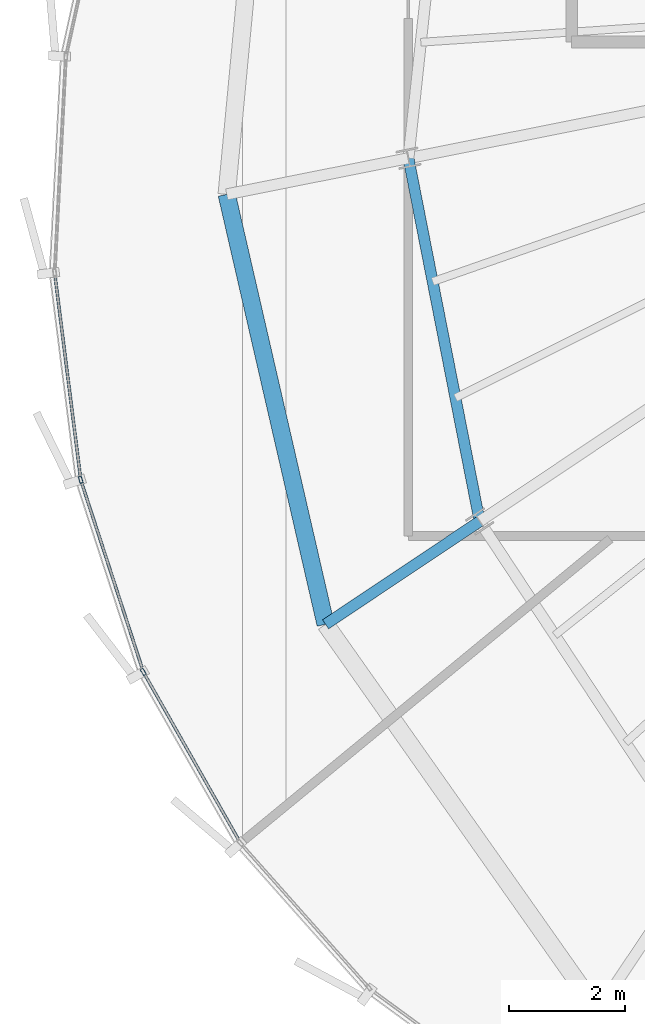
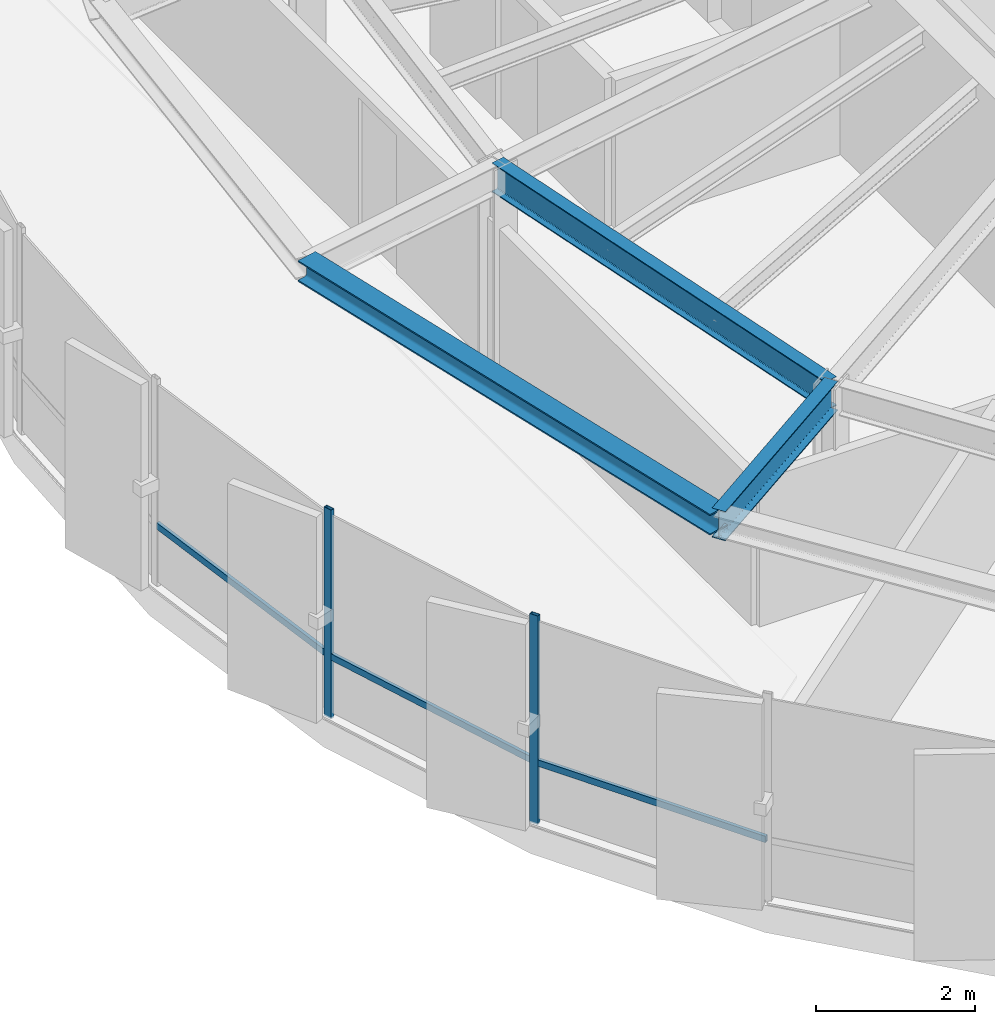
# One storey, part 4 of 36: 5 members, 3 beams, 1 element without a shape of its own.
"""IFC4 building model written with IfcOpenShell, lengths in metres."""

from ifc_helpers import new_model, si_unit, direction, frame, origin, origin_2d, place, context, subcontext, project, spatial, hollow_rectangle, i_section, extrude, source, transform, mapped, material, layer, layer_set, material_profile, profile_set, type_object, element, aggregate, save


model = new_model("IFC4")

# Units and contexts
model_context = context("Model", 3, precision=1e-05, world=origin(), true_north=direction((0.0, 1.0)))
body_context = subcontext(model_context, "Body", "Model", "MODEL_VIEW")
ifc_project = project(units=[si_unit("LENGTHUNIT", "METRE"), si_unit("AREAUNIT", "SQUARE_METRE"), si_unit("VOLUMEUNIT", "CUBIC_METRE"), si_unit("PLANEANGLEUNIT", "RADIAN"), si_unit("MASSUNIT", "GRAM", prefix="KILO"), si_unit("THERMODYNAMICTEMPERATUREUNIT", "KELVIN")], contexts=[model_context])

# Site, building, storey
site_placement = place(None, origin())
site = spatial("IfcSite", under=ifc_project, at=site_placement, CompositionType="ELEMENT")
building_placement = place(site_placement, origin())
building = spatial("IfcBuilding", under=site, at=building_placement, Name="Kethvar Cultural Tower", CompositionType="ELEMENT")
storey_placement = place(building_placement, frame((0.0, 0.0, 228.39990234375)))
storey = spatial("IfcBuildingStorey", under=building, at=storey_placement, Name="L59", CompositionType="ELEMENT", Elevation=228.39990234375)

# Beams
ifc_material_1 = material(Name="Steel S355J2", Category="steel")
ifc_material_profile_1 = material_profile(ifc_material_1, i_section(OverallWidth=0.18994140625, OverallDepth=0.449951171875, WebThickness=0.009521484375, FlangeThickness=0.0146484375, FilletRadius=0.02099609375, at=origin_2d()), Name="Steel S355J2 — IPE450")
ifc_profile_set_1 = profile_set([ifc_material_profile_1], Name="Steel S355J2 — IPE450")
beam_type_1 = type_object("IfcBeamType", Name="BM-IPE450", PredefinedType="BEAM", material=ifc_profile_set_1)
shared_shape_1 = source(origin(), body_context, "Body", "SweptSolid", [
    extrude(i_section(OverallWidth=0.18994140625, OverallDepth=0.449951171875, WebThickness=0.009521484375, FlangeThickness=0.0146484375, FilletRadius=0.02099609375, at=origin_2d()), origin(), (0.0, 0.0, 1.0), 3.199951171875),
])
beam_1_placement = place(storey_placement, frame((32.912841796875, 18.52099609375, 2.983154296875), z_axis=(-0.831462943996, -0.555580212716, 0.0), x_axis=(0.555580212716, -0.831462943996, 0.0)))
element("IfcBeam", 1, at=beam_1_placement, inside=storey, type_object=beam_type_1, Name="L59 Perimeter Cantilever Beam RC-10", PredefinedType="BEAM", context=body_context, shape_type="MappedRepresentation", body=[
    mapped(shared_shape_1, transform((0.0, 0.0, 0.0), scale=1.0)),
])
shared_shape_2 = source(origin(), body_context, "Body", "SweptSolid", [
    extrude(i_section(OverallWidth=0.18994140625, OverallDepth=0.449951171875, WebThickness=0.009521484375, FlangeThickness=0.0146484375, FilletRadius=0.02099609375, at=origin_2d()), origin(), (0.0, 0.0, 1.0), 6.391357421875),
])
beam_2_placement = place(storey_placement, frame((31.68310546875, 24.79296875, 2.983154296875), z_axis=(0.192405084368, -0.981315588131, 0.0), x_axis=(0.981315588131, 0.192405084368, 0.0)))
element("IfcBeam", 2, at=beam_2_placement, inside=storey, type_object=beam_type_1, Name="L59 Column Ring Tie Beam CR-09", PredefinedType="BEAM", context=body_context, shape_type="MappedRepresentation", body=[
    mapped(shared_shape_2, transform((0.0, 0.0, 0.0), scale=1.0)),
])
ifc_material_profile_2 = material_profile(ifc_material_1, i_section(OverallWidth=0.300048828125, OverallDepth=0.320068359375, WebThickness=0.011474609375, FlangeThickness=0.0205078125, FilletRadius=0.027099609375, at=origin_2d()), Name="Steel S355J2 — HEB320")
ifc_profile_set_2 = profile_set([ifc_material_profile_2], Name="Steel S355J2 — HEB320")
beam_type_2 = type_object("IfcBeamType", Name="BM-SP320", PredefinedType="SPANDREL", material=ifc_profile_set_2)
shared_shape_3 = source(origin(), body_context, "Body", "SweptSolid", [
    extrude(i_section(OverallWidth=0.300048828125, OverallDepth=0.320068359375, WebThickness=0.011474609375, FlangeThickness=0.0205078125, FilletRadius=0.027099609375, at=origin_2d()), origin(), (0.0, 0.0, 1.0), 7.619384765625),
])
beam_3_placement = place(storey_placement, frame((28.54443359375, 24.168701171875, 3.048095703125), z_axis=(0.224133998424, -0.974558336248, 0.0), x_axis=(0.974558336248, 0.224133998424, 0.0)))
element("IfcBeam", 3, at=beam_3_placement, inside=storey, type_object=beam_type_2, Name="L59 Perimeter Spandrel Beam SP-09", PredefinedType="SPANDREL", context=body_context, shape_type="MappedRepresentation", body=[
    mapped(shared_shape_3, transform((0.0, 0.0, 0.0), scale=1.0)),
])

# Curtain wall, members
ifc_material_2 = material(Name="Aluminium 6063-T6", Category="aluminium")
ifc_layer = layer(ifc_material_2, 0.179931640625, Name="Aluminium 6063-T6", Category="aluminium")
ifc_layer_set = layer_set([ifc_layer], Name="Aluminium 6063-T6 (180 mm)")
curtain_wall_type = type_object("IfcCurtainWallType", Name="CW-SYS-05-Z56", PredefinedType="NOTDEFINED", material=ifc_layer_set)
curtain_wall_placement = place(storey_placement, origin())
curtain_wall = element("IfcCurtainWall", 4, at=curtain_wall_placement, inside=storey, type_object=curtain_wall_type, Name="L59 Curtain Wall Run 03", PredefinedType="NOTDEFINED")
ifc_material_profile_3 = material_profile(ifc_material_2, hollow_rectangle(XDim=0.054931640625, YDim=0.1201171875, WallThickness=0.00390625, at=origin_2d()), Name="Aluminium 6063-T6 — RHS120x55x4")
ifc_profile_set_3 = profile_set([ifc_material_profile_3], Name="Aluminium 6063-T6 — RHS120x55x4")
member_type_1 = type_object("IfcMemberType", Name="CW-SYS-05-Z56-MUL", PredefinedType="MULLION", material=ifc_profile_set_3)
shared_shape_4 = source(origin(), body_context, "Body", "SweptSolid", [
    extrude(hollow_rectangle(XDim=0.054931640625, YDim=0.1201171875, WallThickness=0.00390625, at=origin_2d()), origin(), (0.0, 0.0, 1.0), 3.210205078125),
])
member_1_placement = place(storey_placement, frame((26.0224609375, 19.239990234375, 0.0), z_axis=(0.0, 0.0, 1.0), x_axis=(0.950689097824, 0.310145513072, 0.0)))
member_1 = element("IfcMember", 5, at=member_1_placement, type_object=member_type_1, Name="CW-L59-R03 Mullion 4", PredefinedType="MULLION", context=body_context, shape_type="MappedRepresentation", body=[
    mapped(shared_shape_4, transform((0.0, 0.0, 0.0), scale=1.0)),
])
member_2_placement = place(storey_placement, frame((27.10302734375, 15.92138671875, 0.0), z_axis=(0.0, 0.0, 1.0), x_axis=(0.869503550285, 0.49392669096, 0.0)))
member_2 = element("IfcMember", 6, at=member_2_placement, type_object=member_type_1, Name="CW-L59-R03 Mullion 5", PredefinedType="MULLION", context=body_context, shape_type="MappedRepresentation", body=[
    mapped(shared_shape_4, transform((0.0, 0.0, 0.0), scale=1.0)),
])
ifc_material_profile_4 = material_profile(ifc_material_2, hollow_rectangle(XDim=0.050048828125, YDim=0.10009765625, WallThickness=0.00390625, at=origin_2d()), Name="Aluminium 6063-T6 — RHS100x50x4")
ifc_profile_set_4 = profile_set([ifc_material_profile_4], Name="Aluminium 6063-T6 — RHS100x50x4")
member_type_2 = type_object("IfcMemberType", Name="CW-SYS-05-Z56-TRN", PredefinedType="USERDEFINED", material=ifc_profile_set_4)
shared_shape_5 = source(origin(), body_context, "Body", "SweptSolid", [
    extrude(hollow_rectangle(XDim=0.050048828125, YDim=0.10009765625, WallThickness=0.00390625, at=origin_2d()), origin(), (0.0, 0.0, 1.0), 3.547119140625),
])
member_3_placement = place(storey_placement, frame((25.5771484375, 22.780029296875, 0.9501953125), z_axis=(0.125262914977, -0.992123582086, 0.0), x_axis=(0.992123582086, 0.125262914977, 0.0)))
member_3 = element("IfcMember", 7, at=member_3_placement, type_object=member_type_2, Name="CW-L59-R03 Transom 3", ObjectType="TRANSOM", PredefinedType="USERDEFINED", context=body_context, shape_type="MappedRepresentation", body=[
    mapped(shared_shape_5, transform((0.0, 0.0, 0.0), scale=1.0)),
])
shared_shape_6 = source(origin(), body_context, "Body", "SweptSolid", [
    extrude(hollow_rectangle(XDim=0.050048828125, YDim=0.10009765625, WallThickness=0.00390625, at=origin_2d()), origin(), (0.0, 0.0, 1.0), 3.430908203125),
])
member_4_placement = place(storey_placement, frame((26.034912109375, 19.202392578125, 0.9501953125), z_axis=(0.310115681052, -0.950698829475, 0.0), x_axis=(0.950698829475, 0.310115681052, 0.0)))
member_4 = element("IfcMember", 8, at=member_4_placement, type_object=member_type_2, Name="CW-L59-R03 Transom 4", ObjectType="TRANSOM", PredefinedType="USERDEFINED", context=body_context, shape_type="MappedRepresentation", body=[
    mapped(shared_shape_6, transform((0.0, 0.0, 0.0), scale=1.0)),
])
shared_shape_7 = source(origin(), body_context, "Body", "SweptSolid", [
    extrude(hollow_rectangle(XDim=0.050048828125, YDim=0.10009765625, WallThickness=0.00390625, at=origin_2d()), origin(), (0.0, 0.0, 1.0), 3.341796875),
])
member_5_placement = place(storey_placement, frame((27.12255859375, 15.886962890625, 0.9501953125), z_axis=(0.493926565674, -0.869503621454, 0.0), x_axis=(0.869503621454, 0.493926565674, 0.0)))
member_5 = element("IfcMember", 9, at=member_5_placement, type_object=member_type_2, Name="CW-L59-R03 Transom 5", ObjectType="TRANSOM", PredefinedType="USERDEFINED", context=body_context, shape_type="MappedRepresentation", body=[
    mapped(shared_shape_7, transform((0.0, 0.0, 0.0), scale=1.0)),
])
aggregate(curtain_wall, [member_1, member_2, member_3, member_4, member_5])

save(model, "model.ifc")
